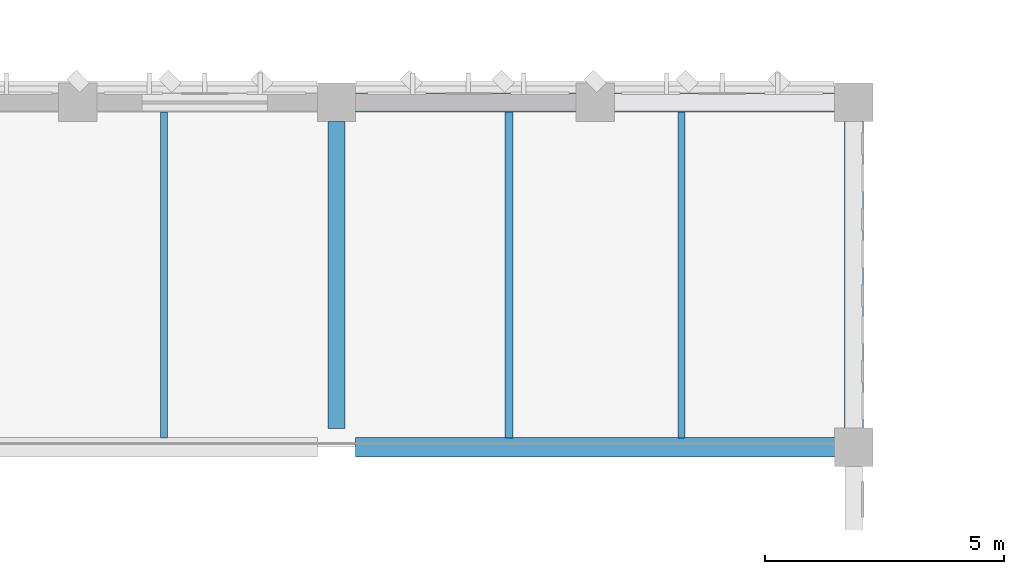
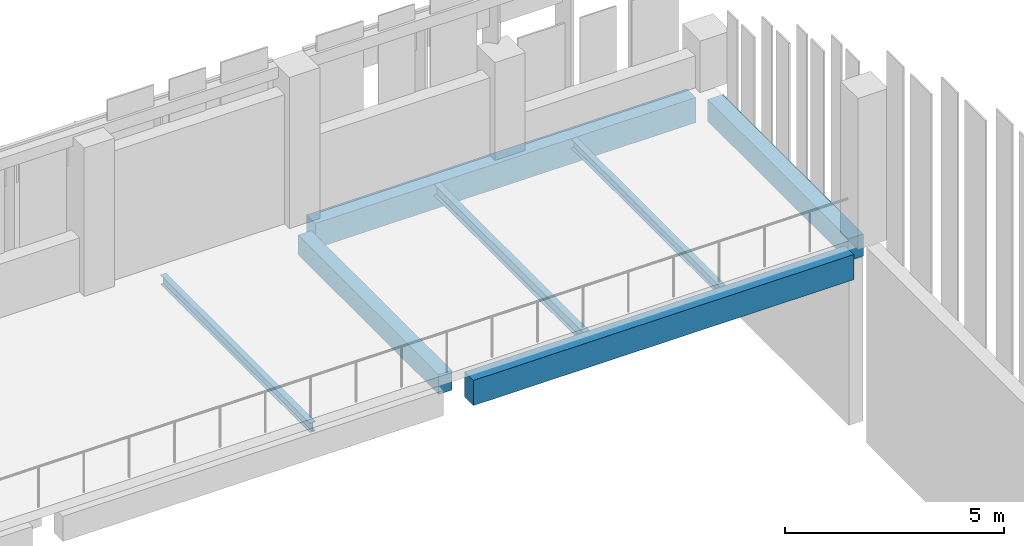
# One storey, part 26 of 158: 7 beams.
"""IFC4 building model written with IfcOpenShell, lengths in metres."""

from ifc_helpers import new_model, si_unit, direction, frame, origin, origin_2d, place, context, subcontext, project, spatial, rectangle, i_section, extrude, material, material_profile, profile_set, type_object, element, save


model = new_model("IFC4")

# Units and contexts
model_context = context("Model", 3, precision=1e-05, world=origin(), true_north=direction((0.0, 1.0)))
body_context = subcontext(model_context, "Body", "Model", "MODEL_VIEW")
ifc_project = project(units=[si_unit("LENGTHUNIT", "METRE"), si_unit("AREAUNIT", "SQUARE_METRE"), si_unit("VOLUMEUNIT", "CUBIC_METRE"), si_unit("PLANEANGLEUNIT", "RADIAN"), si_unit("MASSUNIT", "GRAM", prefix="KILO")], contexts=[model_context])

# Site, building, storey
site_placement = place(None, origin())
site = spatial("IfcSite", under=ifc_project, at=site_placement, CompositionType="ELEMENT")
building_placement = place(site_placement, origin())
building = spatial("IfcBuilding", under=site, at=building_placement, Name="Lusvemor Sports Hall", CompositionType="ELEMENT")
storey_placement = place(building_placement, frame((0.0, 0.0, 10.800048828125)))
storey = spatial("IfcBuildingStorey", under=building, at=storey_placement, Name="L02", CompositionType="ELEMENT", Elevation=10.800048828125)

# Beams
ifc_material_1 = material(Name="Concrete C40/50", Category="concrete")
ifc_material_profile_1 = material_profile(ifc_material_1, rectangle(XDim=0.35009765625, YDim=0.550048828125, at=origin_2d()), Name="RC350x550")
ifc_profile_set_1 = profile_set([ifc_material_profile_1], Name="Concrete C40/50")
beam_type_1 = type_object("IfcBeamType", Name="BEAM_RC_550", PredefinedType="BEAM", material=ifc_profile_set_1)
beam_1_placement = place(storey_placement, frame((64.800048828125, 39.99609375, -0.53515625), z_axis=(0.0, 1.0, 0.0), x_axis=(-1.0, 0.0, 0.0)))
element("IfcBeam", 1, at=beam_1_placement, inside=storey, type_object=beam_type_1, Name="Beam L02 7:E-F", PredefinedType="BEAM", context=body_context, shape_type="SweptSolid", body=[
    extrude(rectangle(XDim=0.35009765625, YDim=0.550048828125, at=origin_2d()), origin(), (0.0, 0.0, 1.0), 6.407958984375),
])
ifc_material_2 = material(Name="Steel S355", Category="steel")
ifc_material_profile_2 = material_profile(ifc_material_2, i_section(OverallWidth=0.14794921875, OverallDepth=0.26611328125, WebThickness=0.007568359375, FlangeThickness=0.012939453125, FilletRadius=0.012939453125, at=origin_2d()), Name="W250x44.8")
ifc_profile_set_2 = profile_set([ifc_material_profile_2], Name="Steel S355")
beam_type_2 = type_object("IfcBeamType", Name="JOIST_ST_250M", PredefinedType="JOIST", material=ifc_profile_set_2)
for number, where, z_axis, x_axis, name in (
    (2, (61.199951171875, 39.7958984375, -0.39697265625), (0.0, 1.0, 0.0), (-1.0, 0.0, 0.0), "Secondary Joist L02 6-7/E-F #2"),
    (3, (72.0, 39.7958984375, -0.39697265625), (0.0, 1.0, 0.0), (-1.0, 0.0, 0.0), "Secondary Joist L02 7-8/E-F #2"),
):
    element("IfcBeam", number, at=place(storey_placement, frame(where, z_axis=z_axis, x_axis=x_axis)), inside=storey, type_object=beam_type_2, Name=name, PredefinedType="JOIST", context=body_context, shape_type="SweptSolid", body=[
        extrude(i_section(OverallWidth=0.14794921875, OverallDepth=0.26611328125, WebThickness=0.007568359375, FlangeThickness=0.012939453125, FilletRadius=0.012939453125, at=origin_2d()), origin(), (0.0, 0.0, 1.0), 6.80810546875),
    ])
ifc_material_3 = material(Name="Steel S355", Category="steel")
ifc_material_profile_3 = material_profile(ifc_material_3, i_section(OverallWidth=0.1669921875, OverallDepth=0.31689453125, WebThickness=0.007568359375, FlangeThickness=0.01318359375, FilletRadius=0.014892578125, at=origin_2d()), Name="W310x52.0")
ifc_profile_set_3 = profile_set([ifc_material_profile_3], Name="Steel S355")
beam_type_3 = type_object("IfcBeamType", Name="JOIST_ST_310M", PredefinedType="JOIST", material=ifc_profile_set_3)
beam_2_placement = place(storey_placement, frame((68.39990234375, 39.7958984375, -0.422607421875), z_axis=(0.0, 1.0, 0.0), x_axis=(-1.0, 0.0, 0.0)))
element("IfcBeam", 4, at=beam_2_placement, inside=storey, type_object=beam_type_3, Name="Secondary Joist L02 7-8/E-F #1", PredefinedType="JOIST", context=body_context, shape_type="SweptSolid", body=[
    extrude(i_section(OverallWidth=0.1669921875, OverallDepth=0.31689453125, WebThickness=0.007568359375, FlangeThickness=0.01318359375, FilletRadius=0.014892578125, at=origin_2d()), origin(), (0.0, 0.0, 1.0), 6.80810546875),
])
ifc_material_4 = material(Name="Concrete C40/50", Category="concrete")
ifc_material_profile_4 = material_profile(ifc_material_4, rectangle(XDim=0.39990234375, YDim=0.610107421875, at=origin_2d()), Name="RC400x610")
ifc_profile_set_4 = profile_set([ifc_material_profile_4], Name="Concrete C40/50")
beam_type_4 = type_object("IfcBeamType", Name="SPAND_EXT_650", PredefinedType="SPANDREL", material=ifc_profile_set_4)
beam_3_placement = place(storey_placement, frame((75.60009765625, 39.99609375, -0.56494140625), z_axis=(0.0, 1.0, 0.0), x_axis=(-1.0, 0.0, 0.0)))
element("IfcBeam", 5, at=beam_3_placement, inside=storey, type_object=beam_type_4, Name="Beam L02 8:E-F", PredefinedType="SPANDREL", context=body_context, shape_type="SweptSolid", body=[
    extrude(rectangle(XDim=0.39990234375, YDim=0.610107421875, at=origin_2d()), origin(), (0.0, 0.0, 1.0), 6.407958984375),
])
ifc_material_5 = material(Name="Concrete C40/50", Category="concrete")
ifc_material_profile_5 = material_profile(ifc_material_5, rectangle(XDim=0.39990234375, YDim=0.699951171875, at=origin_2d()), Name="RC400x700")
ifc_profile_set_5 = profile_set([ifc_material_profile_5], Name="Concrete C40/50")
beam_type_5 = type_object("IfcBeamType", Name="SPAND_EXT_700", PredefinedType="SPANDREL", material=ifc_profile_set_5)
for number, where, z_axis, x_axis, name in (
    (6, (65.196044921875, 39.60009765625, -0.610107421875), (1.0, 0.0, 0.0), (0.0, 1.0, 0.0), "Beam L02 E:7-8"),
    (7, (65.196044921875, 46.800048828125, -0.610107421875), (1.0, 0.0, 0.0), (0.0, 1.0, 0.0), "Beam L02 F:7-8"),
):
    element("IfcBeam", number, at=place(storey_placement, frame(where, z_axis=z_axis, x_axis=x_axis)), inside=storey, type_object=beam_type_5, Name=name, PredefinedType="SPANDREL", context=body_context, shape_type="SweptSolid", body=[
        extrude(rectangle(XDim=0.39990234375, YDim=0.699951171875, at=origin_2d()), origin(), (0.0, 0.0, 1.0), 10.008056640625),
    ])

save(model, "model.ifc")
